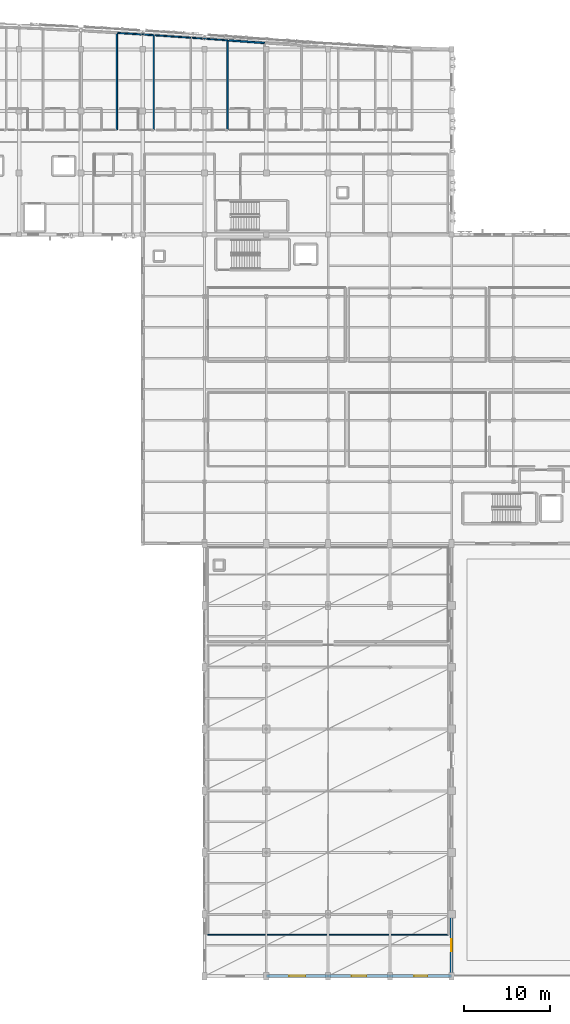
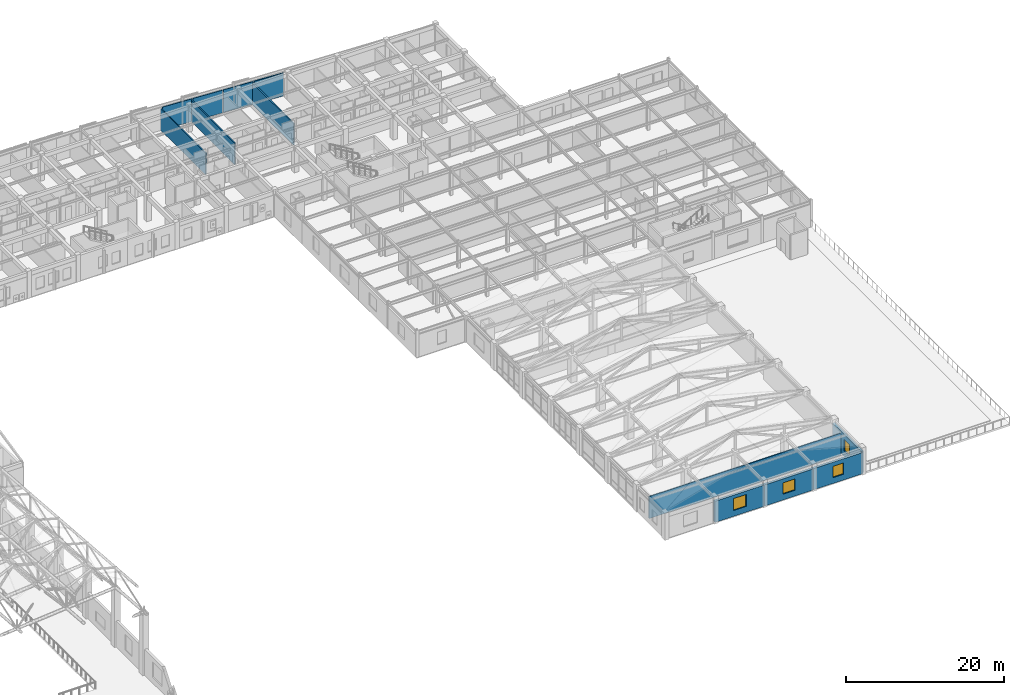
# One storey, part 97 of 113: 12 walls, 4 windows, 4 openings.
"""IFC4 building model written with IfcOpenShell, lengths in metres."""

from ifc_helpers import new_model, si_unit, direction, frame, frame_2d, origin, place, context, subcontext, project, spatial, rectangle, extrude, material, layer, layer_set, type_object, element, fill, save


model = new_model("IFC4")

# Units and contexts
model_context = context("Model", 3, precision=1e-05, world=origin(), true_north=direction((0.0, 1.0)))
body_context = subcontext(model_context, "Body", "Model", "MODEL_VIEW")
ifc_project = project(units=[si_unit("LENGTHUNIT", "METRE"), si_unit("AREAUNIT", "SQUARE_METRE"), si_unit("VOLUMEUNIT", "CUBIC_METRE"), si_unit("PLANEANGLEUNIT", "RADIAN"), si_unit("MASSUNIT", "GRAM", prefix="KILO")], contexts=[model_context])

# Site, building, storey
site_placement = place(None, origin())
site = spatial("IfcSite", under=ifc_project, at=site_placement, CompositionType="ELEMENT")
building_placement = place(site_placement, origin())
building = spatial("IfcBuilding", under=site, at=building_placement, Name="Carrowvane Square Congress Hotel", CompositionType="ELEMENT")
storey_placement = place(building_placement, frame((0.0, 0.0, 15.0)))
storey = spatial("IfcBuildingStorey", under=building, at=storey_placement, Name="L03", CompositionType="ELEMENT", Elevation=15.0)

# Wall, opening, window
ifc_material_1 = material(Name="Portland limestone cladding", Category="masonry")
ifc_layer_1 = layer(ifc_material_1, 0.35009765625)
ifc_layer_set_1 = layer_set([ifc_layer_1], Name="Portland limestone cladding")
wall_type_1 = type_object("IfcWallType", Name="WL-EXT-LS350", PredefinedType="STANDARD", material=ifc_layer_set_1)
wall_1_placement = place(storey_placement, frame((162.800048828125, 12.60009765625, 0.0), z_axis=(0.0, 0.0, 1.0), x_axis=(0.0, -1.0, 0.0)))
wall_1 = element("IfcWall", 1, at=wall_1_placement, inside=storey, type_object=wall_type_1, Name="L03 exterior facade wall 378", PredefinedType="STANDARD", context=body_context, shape_type="SweptSolid", body=[
    extrude(rectangle(XDim=7.2001953125, YDim=0.35009765625, at=frame_2d((3.60009765625, 0.0))), origin(), (0.0, 0.0, 1.0), 3.38818359375),
])
opening_1_placement = place(wall_1_placement, frame((2.89990234375, 0.0, 0.89990234375)))
opening_1 = element("IfcOpeningElement", 2, at=opening_1_placement, cuts=wall_1, Name="Opening W-22", PredefinedType="OPENING", context=body_context, shape_type="SweptSolid", body=[
    extrude(rectangle(XDim=1.39990234375, YDim=1.75, at=frame_2d((0.699951171875, 0.875))), frame((0.0, 0.18505859375, 0.0), z_axis=(0.0, -1.0, 0.0), x_axis=(1.0, 0.0, 0.0)), (0.0, 0.0, 1.0), 0.3701171875),
])
ifc_material_2 = material(Name="Double-glazed low-E glass", Category="glass")
window_type_1 = type_object("IfcWindowType", Name="WIN-22", PartitioningType="SINGLE_PANEL", PredefinedType="WINDOW", material=ifc_material_2)
window_1_placement = place(opening_1_placement, origin())
window_1 = element("IfcWindow", 3, at=window_1_placement, inside=storey, type_object=window_type_1, Name="L03 facade window 199", OverallHeight=1.75, OverallWidth=1.39990234375, PartitioningType="SINGLE_PANEL", PredefinedType="WINDOW", context=body_context, shape_type="SweptSolid", body=[
    extrude(rectangle(XDim=1.39990234375, YDim=1.75, at=frame_2d((0.699951171875, 0.875))), frame((0.0, 0.030029296875, 0.0), z_axis=(0.0, -1.0, 0.0), x_axis=(1.0, 0.0, 0.0)), (0.0, 0.0, 1.0), 0.06005859375),
])
fill(opening_1, window_1)

wall_2_placement = place(storey_placement, frame((162.800048828125, 5.39990234375, 0.0), z_axis=(0.0, 0.0, 1.0), x_axis=(-1.0, 0.0, 0.0)))
wall_2 = element("IfcWall", 4, at=wall_2_placement, inside=storey, type_object=wall_type_1, Name="L03 exterior facade wall 379", PredefinedType="STANDARD", context=body_context, shape_type="SweptSolid", body=[
    extrude(rectangle(XDim=7.199951171875, YDim=0.35009765625, at=frame_2d((3.60009765625, 0.0))), origin(), (0.0, 0.0, 1.0), 3.27490234375),
])
opening_2_placement = place(wall_2_placement, frame((2.824951171875, 0.0, 0.89990234375)))
opening_2 = element("IfcOpeningElement", 5, at=opening_2_placement, cuts=wall_2, Name="Opening W-23", PredefinedType="OPENING", context=body_context, shape_type="SweptSolid", body=[
    extrude(rectangle(XDim=1.550048828125, YDim=1.75, at=frame_2d((0.77490234375, 0.875))), frame((0.0, 0.18505859375, 0.0), z_axis=(0.0, -1.0, 0.0), x_axis=(1.0, 0.0, 0.0)), (0.0, 0.0, 1.0), 0.3701171875),
])
ifc_material_3 = material(Name="Double-glazed low-E glass", Category="glass")
window_type_2 = type_object("IfcWindowType", Name="WIN-23", PartitioningType="SINGLE_PANEL", PredefinedType="WINDOW", material=ifc_material_3)
window_2_placement = place(opening_2_placement, origin())
window_2 = element("IfcWindow", 6, at=window_2_placement, inside=storey, type_object=window_type_2, Name="L03 facade window 200", OverallHeight=1.75, OverallWidth=1.550048828125, PartitioningType="SINGLE_PANEL", PredefinedType="WINDOW", context=body_context, shape_type="SweptSolid", body=[
    extrude(rectangle(XDim=1.550048828125, YDim=1.75, at=frame_2d((0.77490234375, 0.875))), frame((0.0, 0.030029296875, 0.0), z_axis=(0.0, -1.0, 0.0), x_axis=(1.0, 0.0, 0.0)), (0.0, 0.0, 1.0), 0.06005859375),
])
fill(opening_2, window_2)

wall_3_placement = place(storey_placement, frame((155.60009765625, 5.39990234375, 0.0), z_axis=(0.0, 0.0, 1.0), x_axis=(-1.0, 0.0, 0.0)))
wall_3 = element("IfcWall", 7, at=wall_3_placement, inside=storey, type_object=wall_type_1, Name="L03 exterior facade wall 380", PredefinedType="STANDARD", context=body_context, shape_type="SweptSolid", body=[
    extrude(rectangle(XDim=7.2001953125, YDim=0.35009765625, at=frame_2d((3.60009765625, 0.0))), origin(), (0.0, 0.0, 1.0), 3.27490234375),
])
opening_3_placement = place(wall_3_placement, frame((2.75, 0.0, 0.89990234375)))
opening_3 = element("IfcOpeningElement", 8, at=opening_3_placement, cuts=wall_3, Name="Opening W-24", PredefinedType="OPENING", context=body_context, shape_type="SweptSolid", body=[
    extrude(rectangle(XDim=1.699951171875, YDim=1.75, at=frame_2d((0.85009765625, 0.875))), frame((0.0, 0.18505859375, 0.0), z_axis=(0.0, -1.0, 0.0), x_axis=(1.0, 0.0, 0.0)), (0.0, 0.0, 1.0), 0.3701171875),
])
ifc_material_4 = material(Name="Double-glazed low-E glass", Category="glass")
window_type_3 = type_object("IfcWindowType", Name="WIN-24", PartitioningType="SINGLE_PANEL", PredefinedType="WINDOW", material=ifc_material_4)
window_3_placement = place(opening_3_placement, origin())
window_3 = element("IfcWindow", 9, at=window_3_placement, inside=storey, type_object=window_type_3, Name="L03 facade window 201", OverallHeight=1.75, OverallWidth=1.699951171875, PartitioningType="SINGLE_PANEL", PredefinedType="WINDOW", context=body_context, shape_type="SweptSolid", body=[
    extrude(rectangle(XDim=1.699951171875, YDim=1.75, at=frame_2d((0.85009765625, 0.875))), frame((0.0, 0.030029296875, 0.0), z_axis=(0.0, -1.0, 0.0), x_axis=(1.0, 0.0, 0.0)), (0.0, 0.0, 1.0), 0.06005859375),
])
fill(opening_3, window_3)

wall_4_placement = place(storey_placement, frame((148.39990234375, 5.39990234375, 0.0), z_axis=(0.0, 0.0, 1.0), x_axis=(-1.0, 0.0, 0.0)))
wall_4 = element("IfcWall", 10, at=wall_4_placement, inside=storey, type_object=wall_type_1, Name="L03 exterior facade wall 381", PredefinedType="STANDARD", context=body_context, shape_type="SweptSolid", body=[
    extrude(rectangle(XDim=7.199951171875, YDim=0.35009765625, at=frame_2d((3.60009765625, 0.0))), origin(), (0.0, 0.0, 1.0), 3.27490234375),
])
opening_4_placement = place(wall_4_placement, frame((2.64990234375, 0.0, 0.89990234375)))
opening_4 = element("IfcOpeningElement", 11, at=opening_4_placement, cuts=wall_4, Name="Opening W-25", PredefinedType="OPENING", context=body_context, shape_type="SweptSolid", body=[
    extrude(rectangle(XDim=1.89990234375, YDim=1.85009765625, at=frame_2d((0.949951171875, 0.925048828125))), frame((0.0, 0.18505859375, 0.0), z_axis=(0.0, -1.0, 0.0), x_axis=(1.0, 0.0, 0.0)), (0.0, 0.0, 1.0), 0.3701171875),
])
ifc_material_5 = material(Name="Double-glazed low-E glass", Category="glass")
window_type_4 = type_object("IfcWindowType", Name="WIN-25", PartitioningType="SINGLE_PANEL", PredefinedType="WINDOW", material=ifc_material_5)
window_4_placement = place(opening_4_placement, origin())
window_4 = element("IfcWindow", 12, at=window_4_placement, inside=storey, type_object=window_type_4, Name="L03 facade window 202", OverallHeight=1.85009765625, OverallWidth=1.89990234375, PartitioningType="SINGLE_PANEL", PredefinedType="WINDOW", context=body_context, shape_type="SweptSolid", body=[
    extrude(rectangle(XDim=1.89990234375, YDim=1.85009765625, at=frame_2d((0.949951171875, 0.925048828125))), frame((0.0, 0.030029296875, 0.0), z_axis=(0.0, -1.0, 0.0), x_axis=(1.0, 0.0, 0.0)), (0.0, 0.0, 1.0), 0.06005859375),
])
fill(opening_4, window_4)

# Walls
ifc_material_6 = material(Name="Acoustic gypsum board", Category="gypsum")
ifc_layer_2 = layer(ifc_material_6, 0.155029296875)
ifc_layer_set_2 = layer_set([ifc_layer_2], Name="Acoustic gypsum board")
wall_type_2 = type_object("IfcWallType", Name="WL-FIR-155", PredefinedType="PARTITIONING", material=ifc_layer_set_2)
wall_5_placement = place(storey_placement, frame((123.7900390625, 115.310302734375, 0.0), z_axis=(0.0, 0.0, 1.0), x_axis=(0.0, -1.0, 0.0)))
element("IfcWall", 13, at=wall_5_placement, inside=storey, type_object=wall_type_2, Name="L03 Parkview Guest Bedroom 0317 partition", PredefinedType="PARTITIONING", context=body_context, shape_type="SweptSolid", body=[
    extrude(rectangle(XDim=11.310302734375, YDim=0.155029296875, at=frame_2d((5.6552734375, 0.0))), origin(), (0.0, 0.0, 1.0), 3.324951171875),
])
wall_6_placement = place(storey_placement, frame((123.949951171875, 115.30078125, 0.0), z_axis=(0.0, 0.0, 1.0), x_axis=(0.998019001465, -0.062913215743, 0.0)))
element("IfcWall", 14, at=wall_6_placement, inside=storey, type_object=wall_type_2, Name="L03 Parkview Guest Bedroom 0318 partition", PredefinedType="PARTITIONING", context=body_context, shape_type="SweptSolid", body=[
    extrude(rectangle(XDim=4.1484375, YDim=0.155029296875, at=frame_2d((2.07421875, 0.0))), origin(), (0.0, 0.0, 1.0), 3.515625),
])
ifc_material_7 = material(Name="Acoustic gypsum board", Category="gypsum")
ifc_layer_3 = layer(ifc_material_7, 0.18505859375)
ifc_layer_set_3 = layer_set([ifc_layer_3], Name="Acoustic gypsum board")
wall_type_3 = type_object("IfcWallType", Name="WL-FIR-185", PredefinedType="PARTITIONING", material=ifc_layer_set_3)
wall_7_placement = place(storey_placement, frame((136.68994140625, 114.4443359375, 0.0), z_axis=(0.0, 0.0, 1.0), x_axis=(0.0, -1.0, 0.0)))
element("IfcWall", 15, at=wall_7_placement, inside=storey, type_object=wall_type_3, Name="L03 Parkview Guest Bedroom 0320 partition", PredefinedType="PARTITIONING", context=body_context, shape_type="SweptSolid", body=[
    extrude(rectangle(XDim=10.4443359375, YDim=0.18505859375, at=frame_2d((5.22216796875, 0.0))), origin(), (0.0, 0.0, 1.0), 3.324951171875),
])
wall_8_placement = place(storey_placement, frame((136.85009765625, 114.432861328125, 0.0), z_axis=(0.0, 0.0, 1.0), x_axis=(0.997442850046, -0.071468600743, 0.0)))
element("IfcWall", 16, at=wall_8_placement, inside=storey, type_object=wall_type_3, Name="L03 Parkview Guest Bedroom 0321 partition", PredefinedType="PARTITIONING", context=body_context, shape_type="SweptSolid", body=[
    extrude(rectangle(XDim=4.150390625, YDim=0.18505859375, at=frame_2d((2.0751953125, 0.0))), origin(), (0.0, 0.0, 1.0), 3.515625),
])
ifc_material_8 = material(Name="Acoustic gypsum board", Category="gypsum")
ifc_layer_4 = layer(ifc_material_8, 0.1279296875)
ifc_layer_set_4 = layer_set([ifc_layer_4], Name="Acoustic gypsum board")
wall_type_4 = type_object("IfcWallType", Name="WL-PRT-128", PredefinedType="PARTITIONING", material=ifc_layer_set_4)
wall_9_placement = place(storey_placement, frame((162.39990234375, 10.199951171875, 0.0), z_axis=(0.0, 0.0, 1.0), x_axis=(-1.0, 0.0, 0.0)))
element("IfcWall", 17, at=wall_9_placement, inside=storey, type_object=wall_type_4, Name="L03 Garden Banquet Pavilion Hall partition", PredefinedType="PARTITIONING", context=body_context, shape_type="SweptSolid", body=[
    extrude(rectangle(XDim=28.0, YDim=0.1279296875, at=frame_2d((14.0, 0.0))), origin(), (0.0, 0.0, 1.0), 3.38818359375),
])
ifc_material_9 = material(Name="Acoustic gypsum board", Category="gypsum")
ifc_layer_5 = layer(ifc_material_9, 0.137939453125)
ifc_layer_set_5 = layer_set([ifc_layer_5], Name="Acoustic gypsum board")
wall_type_5 = type_object("IfcWallType", Name="WL-PRT-138", PredefinedType="PARTITIONING", material=ifc_layer_set_5)
wall_10_placement = place(storey_placement, frame((132.550048828125, 114.7373046875, 0.0), z_axis=(0.0, 0.0, 1.0), x_axis=(0.997505365192, -0.070590696363, 0.0)))
element("IfcWall", 18, at=wall_10_placement, inside=storey, type_object=wall_type_5, Name="L03 Parkview Guest Bedroom 0320 partition", PredefinedType="PARTITIONING", context=body_context, shape_type="SweptSolid", body=[
    extrude(rectangle(XDim=4.150146484375, YDim=0.137939453125, at=frame_2d((2.0751953125, 0.0))), origin(), (0.0, 0.0, 1.0), 3.515625),
])
ifc_material_10 = material(Name="Acoustic gypsum board", Category="gypsum")
ifc_layer_6 = layer(ifc_material_10, 0.14794921875)
ifc_layer_set_6 = layer_set([ifc_layer_6], Name="Acoustic gypsum board")
wall_type_6 = type_object("IfcWallType", Name="WL-PRT-148", PredefinedType="PARTITIONING", material=ifc_layer_set_6)
wall_11_placement = place(storey_placement, frame((128.090087890625, 115.039794921875, 0.0), z_axis=(0.0, 0.0, 1.0), x_axis=(0.0, -1.0, 0.0)))
element("IfcWall", 19, at=wall_11_placement, inside=storey, type_object=wall_type_6, Name="L03 Parkview Guest Bedroom 0318 partition", PredefinedType="PARTITIONING", context=body_context, shape_type="SweptSolid", body=[
    extrude(rectangle(XDim=11.039794921875, YDim=0.14794921875, at=frame_2d((5.52001953125, 0.0))), origin(), (0.0, 0.0, 1.0), 3.324951171875),
])
wall_12_placement = place(storey_placement, frame((128.25, 115.029296875, 0.0), z_axis=(0.0, 0.0, 1.0), x_axis=(0.997708221266, -0.067663174763, 0.0)))
element("IfcWall", 20, at=wall_12_placement, inside=storey, type_object=wall_type_6, Name="L03 Parkview Guest Bedroom 0319 partition", PredefinedType="PARTITIONING", context=body_context, shape_type="SweptSolid", body=[
    extrude(rectangle(XDim=4.1494140625, YDim=0.14794921875, at=frame_2d((2.07470703125, 0.0))), origin(), (0.0, 0.0, 1.0), 3.515625),
])

save(model, "model.ifc")
